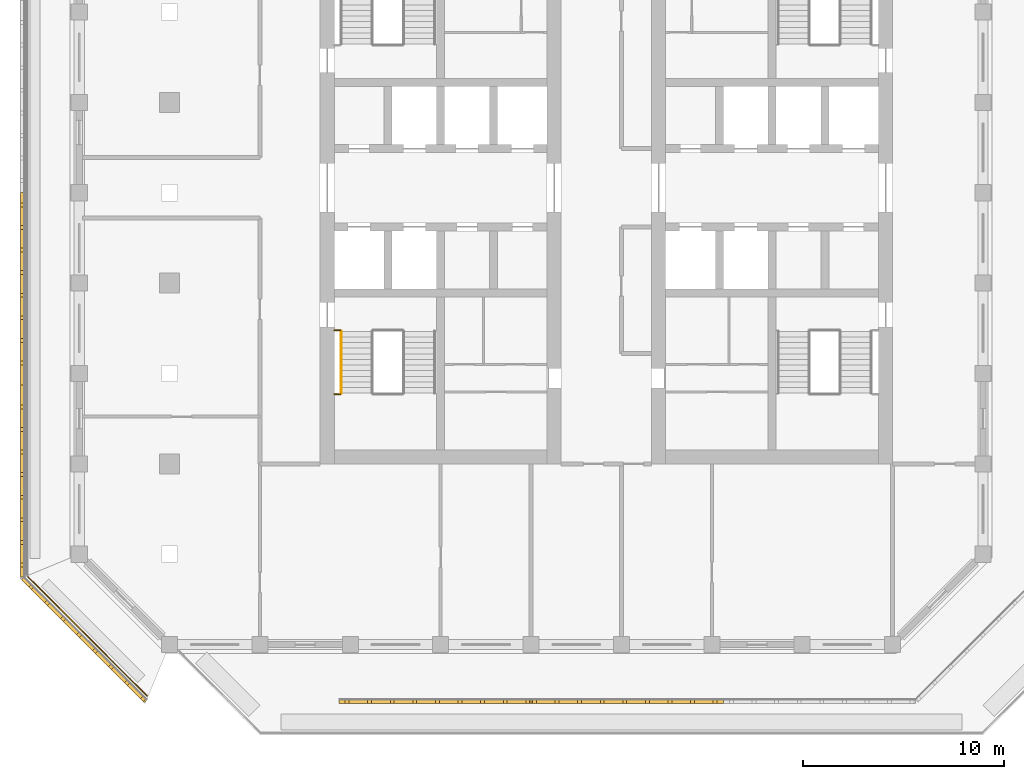
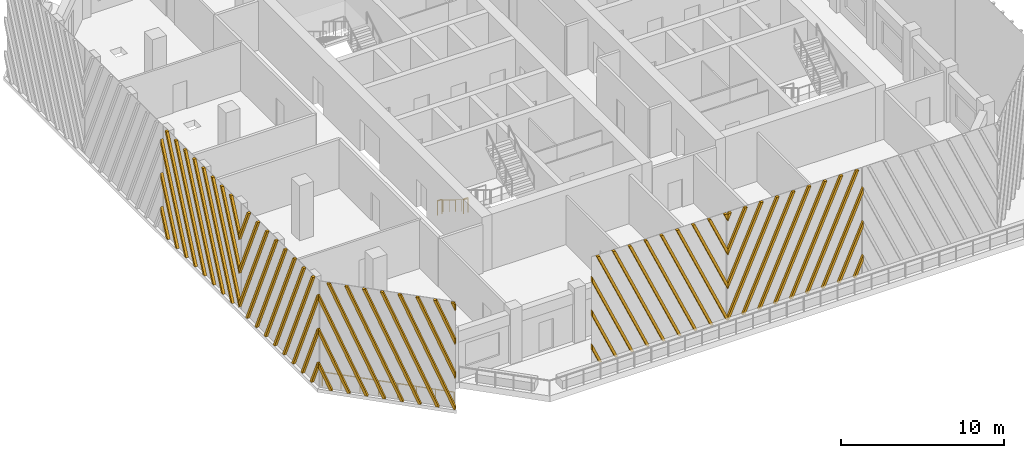
# One storey, part 8 of 14: 5 shading devices, 4 railings.
"""IFC4 building model written with IfcOpenShell, lengths in metres."""

from ifc_helpers import new_model, si_unit, direction, frame, origin, origin_2d, place, context, subcontext, project, spatial, polyline, circle, outline, extrude, source, transform, mapped, material, type_object, element, save


model = new_model("IFC4")

# Units and contexts
model_context = context("Model", 3, precision=1e-05, world=origin(), true_north=direction((0.0, 1.0)))
body_context = subcontext(model_context, "Body", "Model", "MODEL_VIEW")
ifc_project = project(units=[si_unit("LENGTHUNIT", "METRE"), si_unit("AREAUNIT", "SQUARE_METRE"), si_unit("VOLUMEUNIT", "CUBIC_METRE"), si_unit("PLANEANGLEUNIT", "RADIAN"), si_unit("MASSUNIT", "GRAM", prefix="KILO")], contexts=[model_context])

# Site, building, storey
site_placement = place(None, origin())
site = spatial("IfcSite", under=ifc_project, at=site_placement, CompositionType="ELEMENT")
building_placement = place(site_placement, origin())
building = spatial("IfcBuilding", under=site, at=building_placement, Name="Corbel Stack Research Tower", CompositionType="ELEMENT")
storey_placement = place(building_placement, frame((0.0, 0.0, 266.300048828125)))
storey = spatial("IfcBuildingStorey", under=building, at=storey_placement, Name="L60", CompositionType="ELEMENT", Elevation=266.300048828125)

# Railings
ifc_material_1 = material(Name="Steel S355", Category="steel")
railing_type_1 = type_object("IfcRailingType", Name="Stair guard 1100", PredefinedType="GUARDRAIL", material=ifc_material_1)
for number, where, name in (
    (1, (-9.800048828125, -5.530029296875, 2.050048828125), "L60 ST-W1 stair guard 3"),
    (2, (-9.800048828125, -2.35009765625, 0.0), "L60 ST-W1 stair guard 6"),
):
    element("IfcRailing", number, at=place(storey_placement, frame(where)), inside=storey, type_object=railing_type_1, Name=name, PredefinedType="GUARDRAIL", context=body_context, shape_type="SweptSolid", body=[
        extrude(circle(Radius=0.02392578125, at=origin_2d()), frame((0.0, 0.0, 1.076171875), z_axis=(1.0, 0.0, 0.0), x_axis=(0.0, 1.0, 0.0)), (0.0, 0.0, 1.0), 0.300048828125),
        extrude(circle(Radius=0.02099609375, at=origin_2d()), origin(), (0.0, 0.0, 1.0), 1.052001953125),
        extrude(circle(Radius=0.02099609375, at=origin_2d()), frame((0.300048828125, 0.0, 0.0)), (0.0, 0.0, 1.0), 1.052001953125),
    ])
ifc_material_2 = material(Name="Steel S355", Category="steel")
railing_type_2 = type_object("IfcRailingType", Name="Stair handrail 900", PredefinedType="HANDRAIL", material=ifc_material_2)
railing_1_placement = place(storey_placement, frame((-9.449951171875, -2.39990234375, 0.1708984375)))
element("IfcRailing", 3, at=railing_1_placement, inside=storey, type_object=railing_type_2, Name="L60 ST-W1 stair handrail 1", PredefinedType="HANDRAIL", context=body_context, shape_type="SweptSolid", body=[
    extrude(circle(Radius=0.02392578125, at=origin_2d()), frame((0.0, 0.0, 0.8759765625), z_axis=(0.0, -0.853666305674, 0.52082035152), x_axis=(1.0, 0.0, 0.0)), (0.0, 0.0, 1.0), 3.608154296875),
    extrude(circle(Radius=0.02099609375, at=origin_2d()), origin(), (0.0, 0.0, 1.0), 0.851806640625),
    extrude(circle(Radius=0.02099609375, at=origin_2d()), frame((0.0, -0.77001953125, 0.4697265625)), (0.0, 0.0, 1.0), 0.851806640625),
    extrude(circle(Radius=0.02099609375, at=origin_2d()), frame((0.0, -1.5400390625, 0.939453125)), (0.0, 0.0, 1.0), 0.851806640625),
    extrude(circle(Radius=0.02099609375, at=origin_2d()), frame((0.0, -2.31005859375, 1.409423828125)), (0.0, 0.0, 1.0), 0.851806640625),
    extrude(circle(Radius=0.02099609375, at=origin_2d()), frame((0.0, -3.080078125, 1.879150390625)), (0.0, 0.0, 1.0), 0.851806640625),
])
ifc_material_3 = material(Name="Powder-coated steel guard", Category="steel")
railing_type_3 = type_object("IfcRailingType", Name="Steel and glass guard 1100", PredefinedType="GUARDRAIL", material=ifc_material_3)
railing_2_placement = place(storey_placement, frame((-25.04931640625, -14.627685546875, 0.0)))
element("IfcRailing", 4, at=railing_2_placement, inside=storey, type_object=railing_type_3, Name="Loggia guard L60 SW", PredefinedType="GUARDRAIL", context=body_context, shape_type="SweptSolid", body=[
    extrude(circle(Radius=0.02392578125, at=origin_2d()), frame((0.0, 0.0, 1.076171875), z_axis=(0.707106781187, -0.707106781187, 0.0), x_axis=(0.707106781187, 0.707106781187, 0.0)), (0.0, 0.0, 1.0), 8.37451171875),
    extrude(circle(Radius=0.02099609375, at=origin_2d()), origin(), (0.0, 0.0, 1.0), 1.052001953125),
    extrude(circle(Radius=0.02099609375, at=origin_2d()), frame((0.845947265625, -0.845947265625, 0.0)), (0.0, 0.0, 1.0), 1.052001953125),
    extrude(circle(Radius=0.02099609375, at=origin_2d()), frame((1.69189453125, -1.69189453125, 0.0)), (0.0, 0.0, 1.0), 1.052001953125),
    extrude(circle(Radius=0.02099609375, at=origin_2d()), frame((2.537841796875, -2.537841796875, 0.0)), (0.0, 0.0, 1.0), 1.052001953125),
    extrude(circle(Radius=0.02099609375, at=origin_2d()), frame((3.3837890625, -3.3837890625, 0.0)), (0.0, 0.0, 1.0), 1.052001953125),
    extrude(circle(Radius=0.02099609375, at=origin_2d()), frame((4.229736328125, -4.229736328125, 0.0)), (0.0, 0.0, 1.0), 1.052001953125),
    extrude(circle(Radius=0.02099609375, at=origin_2d()), frame((5.07568359375, -5.07568359375, 0.0)), (0.0, 0.0, 1.0), 1.052001953125),
    extrude(circle(Radius=0.02099609375, at=origin_2d()), frame((5.921630859375, -5.921630859375, 0.0)), (0.0, 0.0, 1.0), 1.052001953125),
])

# Shading devices
ifc_material_4 = material(Name="Precast terracotta", Category="masonry")
shading_device_type = type_object("IfcShadingDeviceType", Name="Terracotta screen panel", PredefinedType="USERDEFINED", material=ifc_material_4)
shared_shape_1 = source(origin(), body_context, "Body", "SweptSolid", [
    extrude(outline(polyline([(0.259521484375, 7.949951171875), (0.069580078125, 7.949951171875), (0.0, 7.793701171875), (0.0, 7.366943359375), (0.259521484375, 7.949951171875)])), frame((0.0, 0.0, 0.0), z_axis=(0.0, -1.0, 0.0), x_axis=(1.0, 0.0, 0.0)), (0.0, 0.0, 1.0), 0.179931640625),
    extrude(outline(polyline([(1.384521484375, 7.949951171875), (1.194580078125, 7.949951171875), (0.0, 5.26708984375), (0.0, 4.840087890625), (1.384521484375, 7.949951171875)])), frame((0.0, 0.0, 0.0), z_axis=(0.0, -1.0, 0.0), x_axis=(1.0, 0.0, 0.0)), (0.0, 0.0, 1.0), 0.179931640625),
    extrude(outline(polyline([(2.509521484375, 7.949951171875), (2.319580078125, 7.949951171875), (0.0, 2.740234375), (0.0, 2.3134765625), (2.509521484375, 7.949951171875)])), frame((0.0, 0.0, 0.0), z_axis=(0.0, -1.0, 0.0), x_axis=(1.0, 0.0, 0.0)), (0.0, 0.0, 1.0), 0.179931640625),
    extrude(outline(polyline([(0.094970703125, 0.0), (3.634521484375, 7.949951171875), (3.444580078125, 7.949951171875), (0.0, 0.21337890625), (0.0, 0.0), (0.094970703125, 0.0)])), frame((0.0, 0.0, 0.0), z_axis=(0.0, -1.0, 0.0), x_axis=(1.0, 0.0, 0.0)), (0.0, 0.0, 1.0), 0.179931640625),
    extrude(outline(polyline([(1.219970703125, 0.0), (4.759521484375, 7.949951171875), (4.569580078125, 7.949951171875), (1.030029296875, 0.0), (1.219970703125, 0.0)])), frame((0.0, 0.0, 0.0), z_axis=(0.0, -1.0, 0.0), x_axis=(1.0, 0.0, 0.0)), (0.0, 0.0, 1.0), 0.179931640625),
    extrude(outline(polyline([(2.344970703125, 0.0), (5.884521484375, 7.949951171875), (5.694580078125, 7.949951171875), (2.155029296875, 0.0), (2.344970703125, 0.0)])), frame((0.0, 0.0, 0.0), z_axis=(0.0, -1.0, 0.0), x_axis=(1.0, 0.0, 0.0)), (0.0, 0.0, 1.0), 0.179931640625),
    extrude(outline(polyline([(3.469970703125, 0.0), (7.009521484375, 7.949951171875), (6.819580078125, 7.949951171875), (3.280029296875, 0.0), (3.469970703125, 0.0)])), frame((0.0, 0.0, 0.0), z_axis=(0.0, -1.0, 0.0), x_axis=(1.0, 0.0, 0.0)), (0.0, 0.0, 1.0), 0.179931640625),
    extrude(outline(polyline([(4.594970703125, 0.0), (8.134521484375, 7.949951171875), (7.944580078125, 7.949951171875), (4.405029296875, 0.0), (4.594970703125, 0.0)])), frame((0.0, 0.0, 0.0), z_axis=(0.0, -1.0, 0.0), x_axis=(1.0, 0.0, 0.0)), (0.0, 0.0, 1.0), 0.179931640625),
    extrude(outline(polyline([(5.719970703125, 0.0), (9.259521484375, 7.949951171875), (9.069580078125, 7.949951171875), (5.530029296875, 0.0), (5.719970703125, 0.0)])), frame((0.0, 0.0, 0.0), z_axis=(0.0, -1.0, 0.0), x_axis=(1.0, 0.0, 0.0)), (0.0, 0.0, 1.0), 0.179931640625),
    extrude(outline(polyline([(6.844970703125, 0.0), (9.569580078125, 6.119384765625), (9.569580078125, 6.546142578125), (6.655029296875, 0.0), (6.844970703125, 0.0)])), frame((0.0, 0.0, 0.0), z_axis=(0.0, -1.0, 0.0), x_axis=(1.0, 0.0, 0.0)), (0.0, 0.0, 1.0), 0.179931640625),
    extrude(outline(polyline([(7.969970703125, 0.0), (9.569580078125, 3.592529296875), (9.569580078125, 4.019287109375), (7.780029296875, 0.0), (7.969970703125, 0.0)])), frame((0.0, 0.0, 0.0), z_axis=(0.0, -1.0, 0.0), x_axis=(1.0, 0.0, 0.0)), (0.0, 0.0, 1.0), 0.179931640625),
    extrude(outline(polyline([(9.094970703125, 0.0), (9.569580078125, 1.06591796875), (9.569580078125, 1.49267578125), (8.905029296875, 0.0), (9.094970703125, 0.0)])), frame((0.0, 0.0, 0.0), z_axis=(0.0, -1.0, 0.0), x_axis=(1.0, 0.0, 0.0)), (0.0, 0.0, 1.0), 0.179931640625),
])
shading_device_1_placement = place(storey_placement, frame((0.0, -20.75, 0.0), z_axis=(0.0, 0.0, 1.0), x_axis=(1.0, 0.0, 0.0)))
element("IfcShadingDevice", 5, at=shading_device_1_placement, inside=storey, type_object=shading_device_type, Name="Terracotta screen L60 S3", ObjectType="SCREEN", PredefinedType="USERDEFINED", context=body_context, shape_type="MappedRepresentation", body=[
    mapped(shared_shape_1, transform((0.0, 0.0, 0.0))),
])
shared_shape_2 = source(origin(), body_context, "Body", "SweptSolid", [
    extrude(outline(polyline([(0.66455078125, 0.0), (0.0, 1.49267578125), (0.0, 1.06591796875), (0.474609375, 0.0), (0.66455078125, 0.0)])), frame((0.0, 0.0, 0.0), z_axis=(0.0, -1.0, 0.0), x_axis=(1.0, 0.0, 0.0)), (0.0, 0.0, 1.0), 0.179931640625),
    extrude(outline(polyline([(1.78955078125, 0.0), (0.0, 4.019287109375), (0.0, 3.592529296875), (1.599609375, 0.0), (1.78955078125, 0.0)])), frame((0.0, 0.0, 0.0), z_axis=(0.0, -1.0, 0.0), x_axis=(1.0, 0.0, 0.0)), (0.0, 0.0, 1.0), 0.179931640625),
    extrude(outline(polyline([(2.91455078125, 0.0), (0.0, 6.546142578125), (0.0, 6.119384765625), (2.724609375, 0.0), (2.91455078125, 0.0)])), frame((0.0, 0.0, 0.0), z_axis=(0.0, -1.0, 0.0), x_axis=(1.0, 0.0, 0.0)), (0.0, 0.0, 1.0), 0.179931640625),
    extrude(outline(polyline([(4.03955078125, 0.0), (0.5, 7.949951171875), (0.31005859375, 7.949951171875), (3.849609375, 0.0), (4.03955078125, 0.0)])), frame((0.0, 0.0, 0.0), z_axis=(0.0, -1.0, 0.0), x_axis=(1.0, 0.0, 0.0)), (0.0, 0.0, 1.0), 0.179931640625),
    extrude(outline(polyline([(5.16455078125, 0.0), (1.625, 7.949951171875), (1.43505859375, 7.949951171875), (4.974609375, 0.0), (5.16455078125, 0.0)])), frame((0.0, 0.0, 0.0), z_axis=(0.0, -1.0, 0.0), x_axis=(1.0, 0.0, 0.0)), (0.0, 0.0, 1.0), 0.179931640625),
    extrude(outline(polyline([(6.28955078125, 0.0), (2.75, 7.949951171875), (2.56005859375, 7.949951171875), (6.099609375, 0.0), (6.28955078125, 0.0)])), frame((0.0, 0.0, 0.0), z_axis=(0.0, -1.0, 0.0), x_axis=(1.0, 0.0, 0.0)), (0.0, 0.0, 1.0), 0.179931640625),
    extrude(outline(polyline([(7.41455078125, 0.0), (3.875, 7.949951171875), (3.68505859375, 7.949951171875), (7.224609375, 0.0), (7.41455078125, 0.0)])), frame((0.0, 0.0, 0.0), z_axis=(0.0, -1.0, 0.0), x_axis=(1.0, 0.0, 0.0)), (0.0, 0.0, 1.0), 0.179931640625),
    extrude(outline(polyline([(8.53955078125, 0.0), (5.0, 7.949951171875), (4.81005859375, 7.949951171875), (8.349609375, 0.0), (8.53955078125, 0.0)])), frame((0.0, 0.0, 0.0), z_axis=(0.0, -1.0, 0.0), x_axis=(1.0, 0.0, 0.0)), (0.0, 0.0, 1.0), 0.179931640625),
    extrude(outline(polyline([(9.569580078125, 0.0), (9.569580078125, 0.21337890625), (6.125, 7.949951171875), (5.93505859375, 7.949951171875), (9.474609375, 0.0), (9.569580078125, 0.0)])), frame((0.0, 0.0, 0.0), z_axis=(0.0, -1.0, 0.0), x_axis=(1.0, 0.0, 0.0)), (0.0, 0.0, 1.0), 0.179931640625),
    extrude(outline(polyline([(7.25, 7.949951171875), (7.06005859375, 7.949951171875), (9.569580078125, 2.3134765625), (9.569580078125, 2.740234375), (7.25, 7.949951171875)])), frame((0.0, 0.0, 0.0), z_axis=(0.0, -1.0, 0.0), x_axis=(1.0, 0.0, 0.0)), (0.0, 0.0, 1.0), 0.179931640625),
    extrude(outline(polyline([(8.375, 7.949951171875), (8.18505859375, 7.949951171875), (9.569580078125, 4.840087890625), (9.569580078125, 5.26708984375), (8.375, 7.949951171875)])), frame((0.0, 0.0, 0.0), z_axis=(0.0, -1.0, 0.0), x_axis=(1.0, 0.0, 0.0)), (0.0, 0.0, 1.0), 0.179931640625),
    extrude(outline(polyline([(9.5, 7.949951171875), (9.31005859375, 7.949951171875), (9.569580078125, 7.366943359375), (9.569580078125, 7.793701171875), (9.5, 7.949951171875)])), frame((0.0, 0.0, 0.0), z_axis=(0.0, -1.0, 0.0), x_axis=(1.0, 0.0, 0.0)), (0.0, 0.0, 1.0), 0.179931640625),
])
shading_device_2_placement = place(storey_placement, frame((-9.569580078125, -20.75, 0.0), z_axis=(0.0, 0.0, 1.0), x_axis=(1.0, 0.0, 0.0)))
element("IfcShadingDevice", 6, at=shading_device_2_placement, inside=storey, type_object=shading_device_type, Name="Terracotta screen L60 S2", ObjectType="SCREEN", PredefinedType="USERDEFINED", context=body_context, shape_type="MappedRepresentation", body=[
    mapped(shared_shape_2, transform((0.0, 0.0, 0.0))),
])
shared_shape_3 = source(origin(), body_context, "Body", "SweptSolid", [
    extrude(outline(polyline([(0.862060546875, 0.0), (0.0, 1.936279296875), (0.0, 1.509521484375), (0.672119140625, 0.0), (0.862060546875, 0.0)])), frame((0.0, 0.0, 0.0), z_axis=(0.0, -1.0, 0.0), x_axis=(1.0, 0.0, 0.0)), (0.0, 0.0, 1.0), 0.179931640625),
    extrude(outline(polyline([(1.987060546875, 0.0), (0.0, 4.463134765625), (0.0, 4.036376953125), (1.797119140625, 0.0), (1.987060546875, 0.0)])), frame((0.0, 0.0, 0.0), z_axis=(0.0, -1.0, 0.0), x_axis=(1.0, 0.0, 0.0)), (0.0, 0.0, 1.0), 0.179931640625),
    extrude(outline(polyline([(3.112060546875, 0.0), (0.0, 6.989990234375), (0.0, 6.563232421875), (2.922119140625, 0.0), (3.112060546875, 0.0)])), frame((0.0, 0.0, 0.0), z_axis=(0.0, -1.0, 0.0), x_axis=(1.0, 0.0, 0.0)), (0.0, 0.0, 1.0), 0.179931640625),
    extrude(outline(polyline([(4.237060546875, 0.0), (0.697509765625, 7.949951171875), (0.507568359375, 7.949951171875), (4.047119140625, 0.0), (4.237060546875, 0.0)])), frame((0.0, 0.0, 0.0), z_axis=(0.0, -1.0, 0.0), x_axis=(1.0, 0.0, 0.0)), (0.0, 0.0, 1.0), 0.179931640625),
    extrude(outline(polyline([(5.362060546875, 0.0), (1.822509765625, 7.949951171875), (1.632568359375, 7.949951171875), (5.172119140625, 0.0), (5.362060546875, 0.0)])), frame((0.0, 0.0, 0.0), z_axis=(0.0, -1.0, 0.0), x_axis=(1.0, 0.0, 0.0)), (0.0, 0.0, 1.0), 0.179931640625),
    extrude(outline(polyline([(6.487060546875, 0.0), (2.947509765625, 7.949951171875), (2.757568359375, 7.949951171875), (6.297119140625, 0.0), (6.487060546875, 0.0)])), frame((0.0, 0.0, 0.0), z_axis=(0.0, -1.0, 0.0), x_axis=(1.0, 0.0, 0.0)), (0.0, 0.0, 1.0), 0.179931640625),
    extrude(outline(polyline([(7.612060546875, 0.0), (4.072509765625, 7.949951171875), (3.882568359375, 7.949951171875), (7.422119140625, 0.0), (7.612060546875, 0.0)])), frame((0.0, 0.0, 0.0), z_axis=(0.0, -1.0, 0.0), x_axis=(1.0, 0.0, 0.0)), (0.0, 0.0, 1.0), 0.179931640625),
    extrude(outline(polyline([(8.64208984375, 0.0), (8.64208984375, 0.21337890625), (5.197509765625, 7.949951171875), (5.007568359375, 7.949951171875), (8.547119140625, 0.0), (8.64208984375, 0.0)])), frame((0.0, 0.0, 0.0), z_axis=(0.0, -1.0, 0.0), x_axis=(1.0, 0.0, 0.0)), (0.0, 0.0, 1.0), 0.179931640625),
    extrude(outline(polyline([(6.322509765625, 7.949951171875), (6.132568359375, 7.949951171875), (8.64208984375, 2.3134765625), (8.64208984375, 2.740234375), (6.322509765625, 7.949951171875)])), frame((0.0, 0.0, 0.0), z_axis=(0.0, -1.0, 0.0), x_axis=(1.0, 0.0, 0.0)), (0.0, 0.0, 1.0), 0.179931640625),
    extrude(outline(polyline([(7.447509765625, 7.949951171875), (7.257568359375, 7.949951171875), (8.64208984375, 4.840087890625), (8.64208984375, 5.26708984375), (7.447509765625, 7.949951171875)])), frame((0.0, 0.0, 0.0), z_axis=(0.0, -1.0, 0.0), x_axis=(1.0, 0.0, 0.0)), (0.0, 0.0, 1.0), 0.179931640625),
    extrude(outline(polyline([(8.572509765625, 7.949951171875), (8.382568359375, 7.949951171875), (8.64208984375, 7.366943359375), (8.64208984375, 7.793701171875), (8.572509765625, 7.949951171875)])), frame((0.0, 0.0, 0.0), z_axis=(0.0, -1.0, 0.0), x_axis=(1.0, 0.0, 0.0)), (0.0, 0.0, 1.0), 0.179931640625),
])
shading_device_3_placement = place(storey_placement, frame((-25.25, -14.63916015625, 0.0), z_axis=(0.0, 0.0, 1.0), x_axis=(0.707106781187, -0.707106781187, 0.0)))
element("IfcShadingDevice", 7, at=shading_device_3_placement, inside=storey, type_object=shading_device_type, Name="Terracotta screen L60 SW1", ObjectType="SCREEN", PredefinedType="USERDEFINED", context=body_context, shape_type="MappedRepresentation", body=[
    mapped(shared_shape_3, transform((0.0, 0.0, 0.0))),
])
shared_shape_4 = source(origin(), body_context, "Body", "SweptSolid", [
    extrude(outline(polyline([(0.862060546875, 0.0), (0.0, 1.936279296875), (0.0, 1.509521484375), (0.672119140625, 0.0), (0.862060546875, 0.0)])), frame((0.0, 0.0, 0.0), z_axis=(0.0, -1.0, 0.0), x_axis=(1.0, 0.0, 0.0)), (0.0, 0.0, 1.0), 0.179931640625),
    extrude(outline(polyline([(1.987060546875, 0.0), (0.0, 4.463134765625), (0.0, 4.036376953125), (1.797119140625, 0.0), (1.987060546875, 0.0)])), frame((0.0, 0.0, 0.0), z_axis=(0.0, -1.0, 0.0), x_axis=(1.0, 0.0, 0.0)), (0.0, 0.0, 1.0), 0.179931640625),
    extrude(outline(polyline([(3.112060546875, 0.0), (0.0, 6.989990234375), (0.0, 6.563232421875), (2.922119140625, 0.0), (3.112060546875, 0.0)])), frame((0.0, 0.0, 0.0), z_axis=(0.0, -1.0, 0.0), x_axis=(1.0, 0.0, 0.0)), (0.0, 0.0, 1.0), 0.179931640625),
    extrude(outline(polyline([(4.237060546875, 0.0), (0.697509765625, 7.949951171875), (0.507568359375, 7.949951171875), (4.047119140625, 0.0), (4.237060546875, 0.0)])), frame((0.0, 0.0, 0.0), z_axis=(0.0, -1.0, 0.0), x_axis=(1.0, 0.0, 0.0)), (0.0, 0.0, 1.0), 0.179931640625),
    extrude(outline(polyline([(5.362060546875, 0.0), (1.822509765625, 7.949951171875), (1.632568359375, 7.949951171875), (5.172119140625, 0.0), (5.362060546875, 0.0)])), frame((0.0, 0.0, 0.0), z_axis=(0.0, -1.0, 0.0), x_axis=(1.0, 0.0, 0.0)), (0.0, 0.0, 1.0), 0.179931640625),
    extrude(outline(polyline([(6.487060546875, 0.0), (2.947509765625, 7.949951171875), (2.757568359375, 7.949951171875), (6.297119140625, 0.0), (6.487060546875, 0.0)])), frame((0.0, 0.0, 0.0), z_axis=(0.0, -1.0, 0.0), x_axis=(1.0, 0.0, 0.0)), (0.0, 0.0, 1.0), 0.179931640625),
    extrude(outline(polyline([(7.612060546875, 0.0), (4.072509765625, 7.949951171875), (3.882568359375, 7.949951171875), (7.422119140625, 0.0), (7.612060546875, 0.0)])), frame((0.0, 0.0, 0.0), z_axis=(0.0, -1.0, 0.0), x_axis=(1.0, 0.0, 0.0)), (0.0, 0.0, 1.0), 0.179931640625),
    extrude(outline(polyline([(8.737060546875, 0.0), (5.197509765625, 7.949951171875), (5.007568359375, 7.949951171875), (8.547119140625, 0.0), (8.737060546875, 0.0)])), frame((0.0, 0.0, 0.0), z_axis=(0.0, -1.0, 0.0), x_axis=(1.0, 0.0, 0.0)), (0.0, 0.0, 1.0), 0.179931640625),
    extrude(outline(polyline([(6.322509765625, 7.949951171875), (6.132568359375, 7.949951171875), (9.569580078125, 0.23046875), (9.569580078125, 0.6572265625), (6.322509765625, 7.949951171875)])), frame((0.0, 0.0, 0.0), z_axis=(0.0, -1.0, 0.0), x_axis=(1.0, 0.0, 0.0)), (0.0, 0.0, 1.0), 0.179931640625),
    extrude(outline(polyline([(7.447509765625, 7.949951171875), (7.257568359375, 7.949951171875), (9.569580078125, 2.757080078125), (9.569580078125, 3.18408203125), (7.447509765625, 7.949951171875)])), frame((0.0, 0.0, 0.0), z_axis=(0.0, -1.0, 0.0), x_axis=(1.0, 0.0, 0.0)), (0.0, 0.0, 1.0), 0.179931640625),
    extrude(outline(polyline([(8.572509765625, 7.949951171875), (8.382568359375, 7.949951171875), (9.569580078125, 5.283935546875), (9.569580078125, 5.710693359375), (8.572509765625, 7.949951171875)])), frame((0.0, 0.0, 0.0), z_axis=(0.0, -1.0, 0.0), x_axis=(1.0, 0.0, 0.0)), (0.0, 0.0, 1.0), 0.179931640625),
])
shading_device_4_placement = place(storey_placement, frame((-25.25, 4.5, 0.0), z_axis=(0.0, 0.0, 1.0), x_axis=(0.0, -1.0, 0.0)))
element("IfcShadingDevice", 8, at=shading_device_4_placement, inside=storey, type_object=shading_device_type, Name="Terracotta screen L60 W3", ObjectType="SCREEN", PredefinedType="USERDEFINED", context=body_context, shape_type="MappedRepresentation", body=[
    mapped(shared_shape_4, transform((0.0, 0.0, 0.0))),
])
shared_shape_5 = source(origin(), body_context, "Body", "SweptSolid", [
    extrude(outline(polyline([(1.18701171875, 7.949951171875), (0.9970703125, 7.949951171875), (0.0, 5.710693359375), (0.0, 5.283935546875), (1.18701171875, 7.949951171875)])), frame((0.0, 0.0, 0.0), z_axis=(0.0, -1.0, 0.0), x_axis=(1.0, 0.0, 0.0)), (0.0, 0.0, 1.0), 0.179931640625),
    extrude(outline(polyline([(2.31201171875, 7.949951171875), (2.1220703125, 7.949951171875), (0.0, 3.18408203125), (0.0, 2.757080078125), (2.31201171875, 7.949951171875)])), frame((0.0, 0.0, 0.0), z_axis=(0.0, -1.0, 0.0), x_axis=(1.0, 0.0, 0.0)), (0.0, 0.0, 1.0), 0.179931640625),
    extrude(outline(polyline([(3.43701171875, 7.949951171875), (3.2470703125, 7.949951171875), (0.0, 0.6572265625), (0.0, 0.23046875), (3.43701171875, 7.949951171875)])), frame((0.0, 0.0, 0.0), z_axis=(0.0, -1.0, 0.0), x_axis=(1.0, 0.0, 0.0)), (0.0, 0.0, 1.0), 0.179931640625),
    extrude(outline(polyline([(1.0224609375, 0.0), (4.56201171875, 7.949951171875), (4.3720703125, 7.949951171875), (0.83251953125, 0.0), (1.0224609375, 0.0)])), frame((0.0, 0.0, 0.0), z_axis=(0.0, -1.0, 0.0), x_axis=(1.0, 0.0, 0.0)), (0.0, 0.0, 1.0), 0.179931640625),
    extrude(outline(polyline([(2.1474609375, 0.0), (5.68701171875, 7.949951171875), (5.4970703125, 7.949951171875), (1.95751953125, 0.0), (2.1474609375, 0.0)])), frame((0.0, 0.0, 0.0), z_axis=(0.0, -1.0, 0.0), x_axis=(1.0, 0.0, 0.0)), (0.0, 0.0, 1.0), 0.179931640625),
    extrude(outline(polyline([(3.2724609375, 0.0), (6.81201171875, 7.949951171875), (6.6220703125, 7.949951171875), (3.08251953125, 0.0), (3.2724609375, 0.0)])), frame((0.0, 0.0, 0.0), z_axis=(0.0, -1.0, 0.0), x_axis=(1.0, 0.0, 0.0)), (0.0, 0.0, 1.0), 0.179931640625),
    extrude(outline(polyline([(4.3974609375, 0.0), (7.93701171875, 7.949951171875), (7.7470703125, 7.949951171875), (4.20751953125, 0.0), (4.3974609375, 0.0)])), frame((0.0, 0.0, 0.0), z_axis=(0.0, -1.0, 0.0), x_axis=(1.0, 0.0, 0.0)), (0.0, 0.0, 1.0), 0.179931640625),
    extrude(outline(polyline([(5.5224609375, 0.0), (9.06201171875, 7.949951171875), (8.8720703125, 7.949951171875), (5.33251953125, 0.0), (5.5224609375, 0.0)])), frame((0.0, 0.0, 0.0), z_axis=(0.0, -1.0, 0.0), x_axis=(1.0, 0.0, 0.0)), (0.0, 0.0, 1.0), 0.179931640625),
    extrude(outline(polyline([(6.6474609375, 0.0), (9.569580078125, 6.563232421875), (9.569580078125, 6.989990234375), (6.45751953125, 0.0), (6.6474609375, 0.0)])), frame((0.0, 0.0, 0.0), z_axis=(0.0, -1.0, 0.0), x_axis=(1.0, 0.0, 0.0)), (0.0, 0.0, 1.0), 0.179931640625),
    extrude(outline(polyline([(7.7724609375, 0.0), (9.569580078125, 4.036376953125), (9.569580078125, 4.463134765625), (7.58251953125, 0.0), (7.7724609375, 0.0)])), frame((0.0, 0.0, 0.0), z_axis=(0.0, -1.0, 0.0), x_axis=(1.0, 0.0, 0.0)), (0.0, 0.0, 1.0), 0.179931640625),
    extrude(outline(polyline([(8.8974609375, 0.0), (9.569580078125, 1.509521484375), (9.569580078125, 1.936279296875), (8.70751953125, 0.0), (8.8974609375, 0.0)])), frame((0.0, 0.0, 0.0), z_axis=(0.0, -1.0, 0.0), x_axis=(1.0, 0.0, 0.0)), (0.0, 0.0, 1.0), 0.179931640625),
])
shading_device_5_placement = place(storey_placement, frame((-25.25, -5.069580078125, 0.0), z_axis=(0.0, 0.0, 1.0), x_axis=(0.0, -1.0, 0.0)))
element("IfcShadingDevice", 9, at=shading_device_5_placement, inside=storey, type_object=shading_device_type, Name="Terracotta screen L60 W4", ObjectType="SCREEN", PredefinedType="USERDEFINED", context=body_context, shape_type="MappedRepresentation", body=[
    mapped(shared_shape_5, transform((0.0, 0.0, 0.0))),
])

save(model, "model.ifc")
